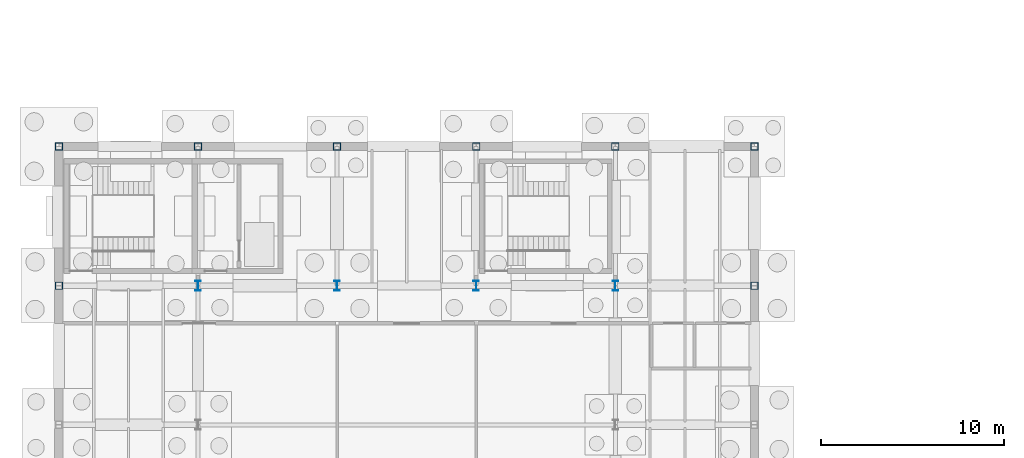
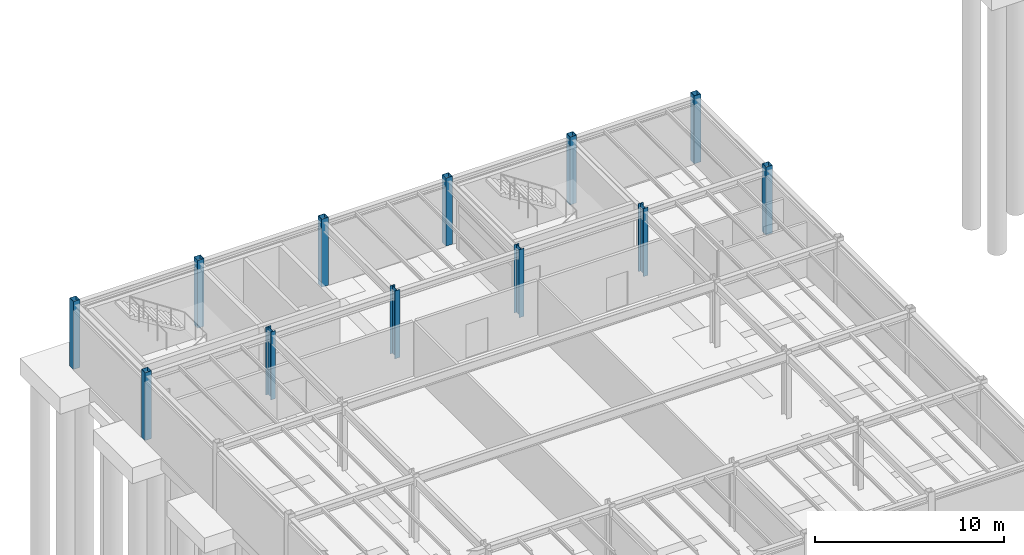
# One storey, part 13 of 33: 12 columns.
"""IFC4 building model written with IfcOpenShell, lengths in metres."""

import ifcopenshell
import ifcopenshell.guid

model = None  # the IFC model being written
_history = None  # IfcOwnerHistory: only IFC2X3 demands one
_inside = {}  # id of a spatial element -> (the spatial element, [elements in it])
_under = {}  # id of a project, library or spatial element -> (it, [spatial elements below it])
_declared = {}  # id of a project -> (the project, [libraries it declares])
_typed = {}  # id of a type object -> (the type object, [elements of that type])
_made_of = {}  # id of a material, layer set ... -> (it, [elements and type objects made of it])


def new_model(schema):
    """Start an empty IFC model of exactly this schema.

    Asked for "IFC4X3", IfcOpenShell would pick the latest addendum, in which some entities
    have other attributes; the version numbers below select the first issue.
    IFC2X3 requires an IfcOwnerHistory on every rooted entity: one is made here for all.
    """
    global model, _history
    if schema == "IFC4X3":
        model = ifcopenshell.file(schema_version=(4, 3, 0, 0))
    else:
        model = ifcopenshell.file(schema=schema)
    _inside.clear()
    _under.clear()
    _declared.clear()
    _typed.clear()
    _made_of.clear()
    _history = None
    if model.schema == "IFC2X3":
        org = make("IfcOrganization", Name="unknown")
        user = make(
            "IfcPersonAndOrganization",
            ThePerson=make("IfcPerson", FamilyName="unknown"),
            TheOrganization=org,
        )
        app = make(
            "IfcApplication",
            ApplicationDeveloper=org,
            Version="unknown",
            ApplicationFullName="unknown",
            ApplicationIdentifier="unknown",
        )
        _history = make(
            "IfcOwnerHistory",
            OwningUser=user,
            OwningApplication=app,
            ChangeAction="ADDED",
            CreationDate=0,
        )
    return model


def make(cls, **values):
    """One entity of the class cls with the attributes given. An attribute that is None is left unset."""
    return model.create_entity(
        cls, **{name: value for name, value in values.items() if value is not None}
    )


def rooted(cls, **values):
    """An entity with a GlobalId (a new one), such as an element, a storey or a relation."""
    return make(cls, GlobalId=ifcopenshell.guid.new(), OwnerHistory=_history, **values)


def si_unit(unit_type, name, prefix=None):
    """IfcSIUnit, for example si_unit("LENGTHUNIT", "METRE", prefix="MILLI")."""
    return make("IfcSIUnit", UnitType=unit_type, Prefix=prefix, Name=name)


def assignment(units):
    """IfcUnitAssignment: the units of a project."""
    return None if units is None else make("IfcUnitAssignment", Units=units)


def point(xyz):
    """IfcCartesianPoint."""
    return None if xyz is None else make("IfcCartesianPoint", Coordinates=xyz)


def direction(xyz):
    """IfcDirection."""
    return None if xyz is None else make("IfcDirection", DirectionRatios=xyz)


def frame(location, z_axis=None, x_axis=None):
    """IfcAxis2Placement3D, a coordinate frame: its origin and axes. An axis left out is left unset."""
    return make(
        "IfcAxis2Placement3D",
        Location=point(location),
        Axis=direction(z_axis),
        RefDirection=direction(x_axis),
    )


def frame_2d(location, x_axis=None):
    """IfcAxis2Placement2D, a coordinate frame in the plane: its origin and x axis."""
    return make(
        "IfcAxis2Placement2D", Location=point(location), RefDirection=direction(x_axis)
    )


def origin():
    """The frame at (0, 0, 0) with its axes left unset."""
    return frame((0.0, 0.0, 0.0))


def origin_2d():
    """The frame at (0, 0) in the plane with its x axis left unset."""
    return frame_2d((0.0, 0.0))


def place(relative_to, where):
    """IfcLocalPlacement: puts the frame where relative to a parent placement (None: the world)."""
    return make(
        "IfcLocalPlacement", PlacementRelTo=relative_to, RelativePlacement=where
    )


def context(
    kind, dimensions, precision=None, world=None, true_north=None, identifier=None
):
    """IfcGeometricRepresentationContext, for example the 3D "Model" context."""
    return make(
        "IfcGeometricRepresentationContext",
        ContextIdentifier=identifier,
        ContextType=kind,
        CoordinateSpaceDimension=dimensions,
        Precision=precision,
        WorldCoordinateSystem=world,
        TrueNorth=true_north,
    )


def subcontext(parent, identifier, kind, view, scale=None):
    """IfcGeometricRepresentationSubContext, for example "Body" below "Model"."""
    return make(
        "IfcGeometricRepresentationSubContext",
        ContextIdentifier=identifier,
        ContextType=kind,
        ParentContext=parent,
        TargetScale=scale,
        TargetView=view,
    )


def project(units=None, contexts=None):
    """IfcProject with its units and contexts."""
    return rooted(
        "IfcProject",
        Name="project",
        RepresentationContexts=contexts,
        UnitsInContext=assignment(units),
    )


def spatial(cls, under=None, at=None, **own):
    """A site, building, storey or space (cls), placed at a placement, below another one or the project."""
    s = rooted(cls, ObjectPlacement=at, **own)
    if under is not None:
        _under.setdefault(under.id(), (under, []))[1].append(s)
    return s


def profile(cls, at=None, kind="AREA", **sizes):
    """A parametric profile (cls). Its sizes go by their IFC names, for example OverallWidth=200.0."""
    return make(cls, ProfileType=kind, Position=at, **sizes)


def hollow_rectangle(**sizes):
    """IfcRectangleHollowProfileDef."""
    return profile("IfcRectangleHollowProfileDef", **sizes)


def i_section(**sizes):
    """IfcIShapeProfileDef."""
    return profile("IfcIShapeProfileDef", **sizes)


def extrude(swept, where, along, depth):
    """IfcExtrudedAreaSolid: the profile swept, set in the frame where, extruded along a direction by depth."""
    return make(
        "IfcExtrudedAreaSolid",
        SweptArea=swept,
        Position=where,
        ExtrudedDirection=direction(along),
        Depth=depth,
    )


def shape(context_of_items, identifier, shape_type, items):
    """IfcShapeRepresentation: the items that make up one representation, for example the "Body"."""
    return make(
        "IfcShapeRepresentation",
        ContextOfItems=context_of_items,
        RepresentationIdentifier=identifier,
        RepresentationType=shape_type,
        Items=items,
    )


def material(Name=None, Category=None):
    """IfcMaterial."""
    return make("IfcMaterial", Name=Name, Category=Category)


def material_profile(
    of_material, cross_section, Name=None, Category=None, Priority=None
):
    """IfcMaterialProfile: a cross section and its material."""
    return make(
        "IfcMaterialProfile",
        Name=Name,
        Material=of_material,
        Profile=cross_section,
        Priority=Priority,
        Category=Category,
    )


def profile_set(profiles, Name=None, composite=None):
    """IfcMaterialProfileSet."""
    return make(
        "IfcMaterialProfileSet",
        Name=Name,
        MaterialProfiles=profiles,
        CompositeProfile=composite,
    )


def made_of(thing, what):
    """Note that an element or type object is made of a material, layer set ...; save() writes the relation."""
    if what is not None:
        _made_of.setdefault(what.id(), (what, []))[1].append(thing)
    return thing


def type_object(cls, material=None, **own):
    """A type object (cls), such as IfcWallType, which elements share."""
    return made_of(rooted(cls, **own), material)


def element(
    cls,
    number,
    at=None,
    inside=None,
    cuts=None,
    type_object=None,
    material=None,
    context=None,
    identifier="Body",
    shape_type=None,
    held_by="IfcProductDefinitionShape",
    body=None,
    shapes=None,
    **own,
):
    """One element of the class cls, such as IfcWall. Its Tag is "e" and its number.

    at: its placement. inside: the storey or other place that contains it. cuts: it is an
    opening in that element (IfcRelVoidsElement). A single representation is given by context,
    identifier, shape_type and body (its items); several are given by shapes. held_by: the class
    of the entity that holds the representations. save() writes the other relations.
    """
    e = rooted(cls, Tag="e%d" % number, ObjectPlacement=at, **own)
    if body is not None:
        shapes = [shape(context, identifier, shape_type, body)]
    if shapes is not None:
        e.Representation = make(held_by, Representations=shapes)
    if inside is not None:
        _inside.setdefault(inside.id(), (inside, []))[1].append(e)
    if cuts is not None:
        rooted(
            "IfcRelVoidsElement", RelatingBuildingElement=cuts, RelatedOpeningElement=e
        )
    if type_object is not None:
        _typed.setdefault(type_object.id(), (type_object, []))[1].append(e)
    return made_of(e, material)


def aggregate(whole, parts):
    """IfcRelAggregates: a whole, such as a stair, and the parts it consists of."""
    return rooted("IfcRelAggregates", RelatingObject=whole, RelatedObjects=parts)


def save(model, path):
    """Write the relations noted so far, then the file.

    IfcRelAggregates (storeys below a building ...), IfcRelContainedInSpatialStructure (elements
    in a storey), IfcRelDefinesByType, IfcRelAssociatesMaterial and IfcRelDeclares: one each for
    every whole, place, type object, material and project.
    """
    for whole, parts in _under.values():
        aggregate(whole, parts)
    for where, things in _inside.values():
        rooted(
            "IfcRelContainedInSpatialStructure",
            RelatedElements=things,
            RelatingStructure=where,
        )
    for kind, things in _typed.values():
        rooted("IfcRelDefinesByType", RelatedObjects=things, RelatingType=kind)
    for what, things in _made_of.values():
        rooted("IfcRelAssociatesMaterial", RelatedObjects=things, RelatingMaterial=what)
    for by, libraries in _declared.values():
        rooted("IfcRelDeclares", RelatingContext=by, RelatedDefinitions=libraries)
    model.write(path)


model = new_model("IFC4")

# Units and contexts
model_context = context("Model", 3, precision=1e-05, world=origin(), true_north=direction((0.0, 1.0)))
body_context = subcontext(model_context, "Body", "Model", "MODEL_VIEW")
ifc_project = project(units=[si_unit("LENGTHUNIT", "METRE"), si_unit("AREAUNIT", "SQUARE_METRE"), si_unit("VOLUMEUNIT", "CUBIC_METRE"), si_unit("PLANEANGLEUNIT", "RADIAN"), si_unit("MASSUNIT", "GRAM", prefix="KILO")], contexts=[model_context])

# Site, building, storey
site_placement = place(None, origin())
site = spatial("IfcSite", under=ifc_project, at=site_placement, CompositionType="ELEMENT")
building_placement = place(site_placement, origin())
building = spatial("IfcBuilding", under=site, at=building_placement, Name="Montecoro Central Library", CompositionType="ELEMENT")
storey_placement = place(building_placement, frame((0.0, 0.0, -4.419921875)))
storey = spatial("IfcBuildingStorey", under=building, at=storey_placement, Name="B1", CompositionType="ELEMENT", Elevation=-4.419921875)

# Columns
ifc_material = material(Name="Steel S355J2", Category="steel")
ifc_material_profile_1 = material_profile(ifc_material, i_section(OverallWidth=0.300048828125, OverallDepth=0.550048828125, WebThickness=0.014892578125, FlangeThickness=0.029052734375, at=origin_2d()), Name="HEB 550")
ifc_profile_set_1 = profile_set([ifc_material_profile_1], Name="Steel S355J2")
column_type_1 = type_object("IfcColumnType", Name="COL-HEB550", PredefinedType="COLUMN", material=ifc_profile_set_1)
for number, where, z_axis, x_axis, name in (
    (1, (12.60009765625, 103.800048828125, 0.0), (0.0, 0.0, 1.0), (1.0, 0.0, 0.0), "V4-B1-COL-2-P"),
    (2, (20.199951171875, 103.800048828125, 0.0), (0.0, 0.0, 1.0), (1.0, 0.0, 0.0), "V4-B1-COL-3-P"),
    (3, (27.800048828125, 103.800048828125, 0.0), (0.0, 0.0, 1.0), (1.0, 0.0, 0.0), "V4-B1-COL-4-P"),
    (4, (35.39990234375, 103.800048828125, 0.0), (0.0, 0.0, 1.0), (1.0, 0.0, 0.0), "V4-B1-COL-5-P"),
):
    element("IfcColumn", number, at=place(storey_placement, frame(where, z_axis=z_axis, x_axis=x_axis)), inside=storey, type_object=column_type_1, Name=name, PredefinedType="COLUMN", context=body_context, shape_type="SweptSolid", body=[
        extrude(i_section(OverallWidth=0.300048828125, OverallDepth=0.550048828125, WebThickness=0.014892578125, FlangeThickness=0.029052734375, at=origin_2d()), origin(), (0.0, 0.0, 1.0), 4.39501953125),
    ])
ifc_material_profile_2 = material_profile(ifc_material, hollow_rectangle(XDim=0.39990234375, YDim=0.39990234375, WallThickness=0.01611328125, at=origin_2d()), Name="SHS 400x400x16.0")
ifc_profile_set_2 = profile_set([ifc_material_profile_2], Name="Steel S355J2")
column_type_2 = type_object("IfcColumnType", Name="COL-SHS400", PredefinedType="COLUMN", material=ifc_profile_set_2)
for number, where, z_axis, x_axis, name in (
    (5, (5.0, 103.800048828125, 0.0), (0.0, 0.0, 1.0), (1.0, 0.0, 0.0), "V4-B1-COL-1-P"),
    (6, (5.0, 111.39990234375, 0.0), (0.0, 0.0, 1.0), (1.0, 0.0, 0.0), "V4-B1-COL-1-Q"),
    (7, (12.60009765625, 111.39990234375, 0.0), (0.0, 0.0, 1.0), (1.0, 0.0, 0.0), "V4-B1-COL-2-Q"),
    (8, (20.199951171875, 111.39990234375, 0.0), (0.0, 0.0, 1.0), (1.0, 0.0, 0.0), "V4-B1-COL-3-Q"),
    (9, (27.800048828125, 111.39990234375, 0.0), (0.0, 0.0, 1.0), (1.0, 0.0, 0.0), "V4-B1-COL-4-Q"),
    (10, (35.39990234375, 111.39990234375, 0.0), (0.0, 0.0, 1.0), (1.0, 0.0, 0.0), "V4-B1-COL-5-Q"),
    (11, (43.0, 103.800048828125, 0.0), (0.0, 0.0, 1.0), (1.0, 0.0, 0.0), "V4-B1-COL-6-P"),
    (12, (43.0, 111.39990234375, 0.0), (0.0, 0.0, 1.0), (1.0, 0.0, 0.0), "V4-B1-COL-6-Q"),
):
    element("IfcColumn", number, at=place(storey_placement, frame(where, z_axis=z_axis, x_axis=x_axis)), inside=storey, type_object=column_type_2, Name=name, PredefinedType="COLUMN", context=body_context, shape_type="SweptSolid", body=[
        extrude(hollow_rectangle(XDim=0.39990234375, YDim=0.39990234375, WallThickness=0.01611328125, at=origin_2d()), origin(), (0.0, 0.0, 1.0), 4.39501953125),
    ])

save(model, "model.ifc")
